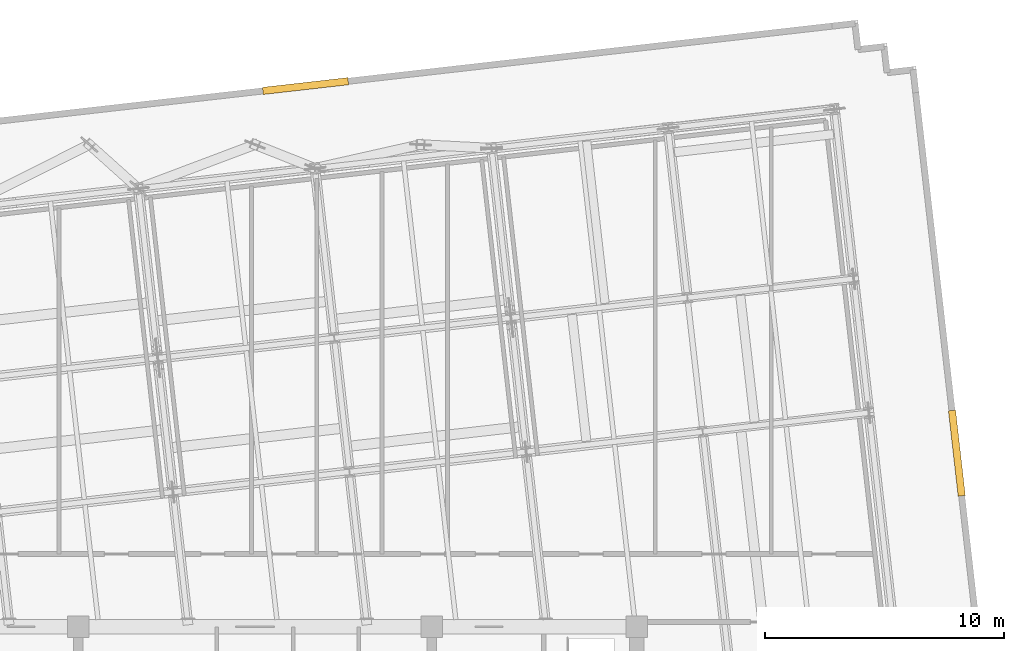
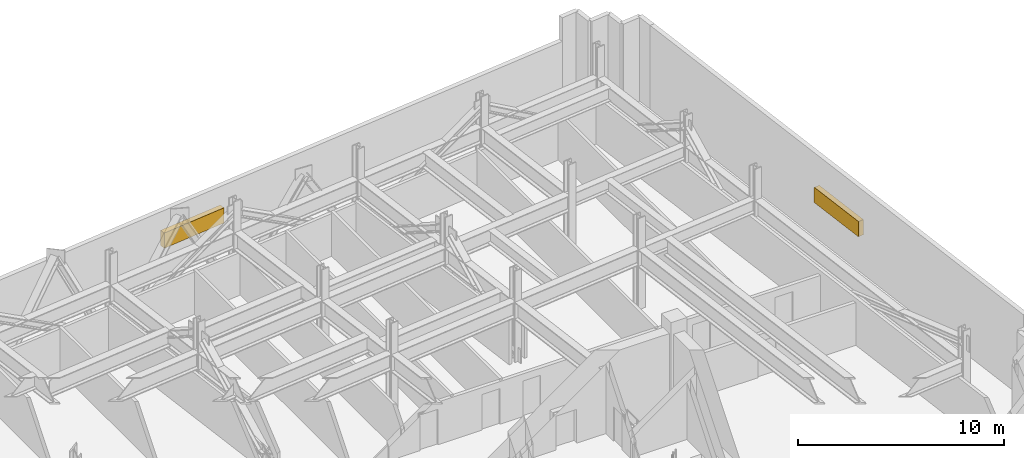
# One storey, part 9 of 10: 2 shading devices.
"""IFC4 building model written with IfcOpenShell, lengths in metres."""

from ifc_helpers import new_model, si_unit, direction, frame, origin, origin_2d, place, context, subcontext, project, spatial, rectangle, extrude, material, type_object, element, save


model = new_model("IFC4")

# Units and contexts
model_context = context("Model", 3, precision=1e-05, world=origin(), true_north=direction((0.0, 1.0)))
body_context = subcontext(model_context, "Body", "Model", "MODEL_VIEW")
ifc_project = project(units=[si_unit("LENGTHUNIT", "METRE"), si_unit("AREAUNIT", "SQUARE_METRE"), si_unit("VOLUMEUNIT", "CUBIC_METRE"), si_unit("PLANEANGLEUNIT", "RADIAN"), si_unit("MASSUNIT", "GRAM", prefix="KILO")], contexts=[model_context])

# Site, building, storey
site_placement = place(None, origin())
site = spatial("IfcSite", under=ifc_project, at=site_placement, CompositionType="ELEMENT")
building_placement = place(site_placement, origin())
building = spatial("IfcBuilding", under=site, at=building_placement, Name="Solmavex Isthmus Hotel", CompositionType="ELEMENT")
storey_placement = place(building_placement, frame((0.0, 0.0, 240.0)))
storey = spatial("IfcBuildingStorey", under=building, at=storey_placement, Name="L65", CompositionType="ELEMENT", Elevation=240.0)

# Shading devices
ifc_material = material(Name="Aluminium alloy 6063-T6", Category="aluminium")
shading_device_type = type_object("IfcShadingDeviceType", Name="SHD-LOUVRE-BOX", PredefinedType="JALOUSIE", material=ifc_material)
for number, where, z_axis, x_axis, name in (
    (1, (2.120361328125, 20.15185546875, 1.32763671875), (0.0, 0.0, 1.0), (0.993571855677, 0.113203213768, 0.0), "Acoustic Intake Louvre Screen L65-14"),
    (2, (29.406982421875, 4.77197265625, 2.025146484375), (0.0, 0.0, 1.0), (0.113203213768, -0.993571855677, 0.0), "Acoustic Intake Louvre Screen L65-21"),
):
    element("IfcShadingDevice", number, at=place(storey_placement, frame(where, z_axis=z_axis, x_axis=x_axis)), inside=storey, type_object=shading_device_type, Name=name, PredefinedType="JALOUSIE", context=body_context, shape_type="SweptSolid", body=[
        extrude(rectangle(XDim=3.60009765625, YDim=0.300048828125, at=origin_2d()), origin(), (0.0, 0.0, 1.0), 0.89990234375),
    ])

save(model, "model.ifc")
